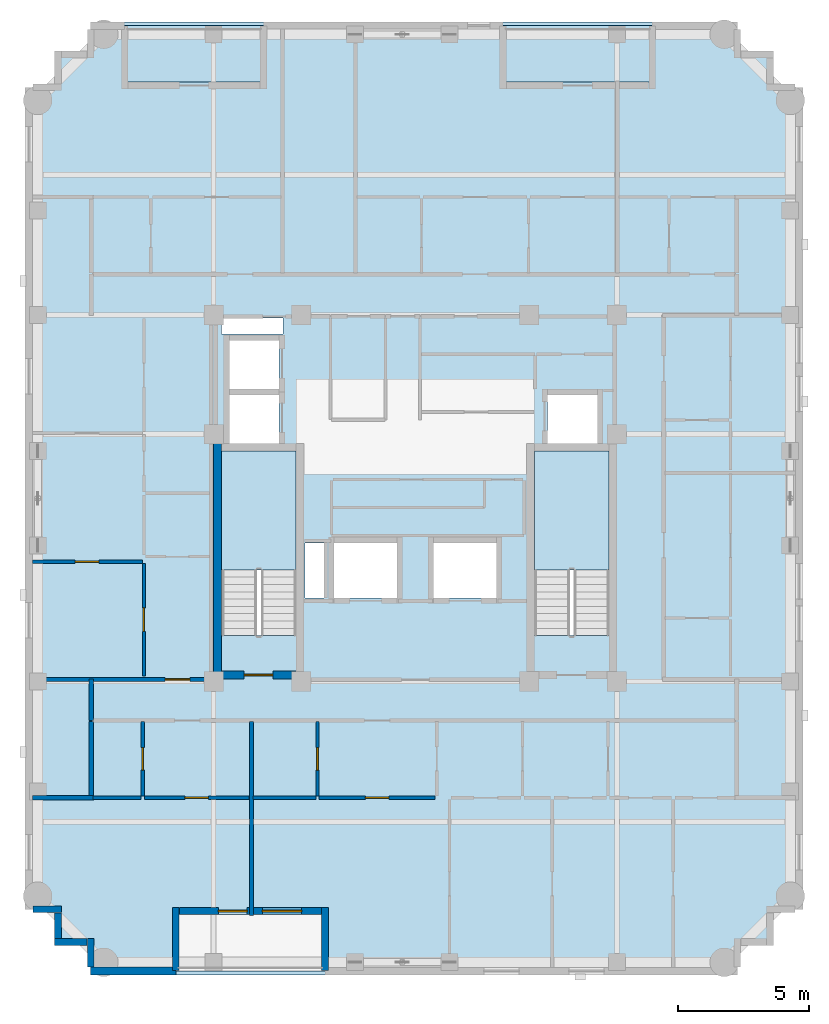
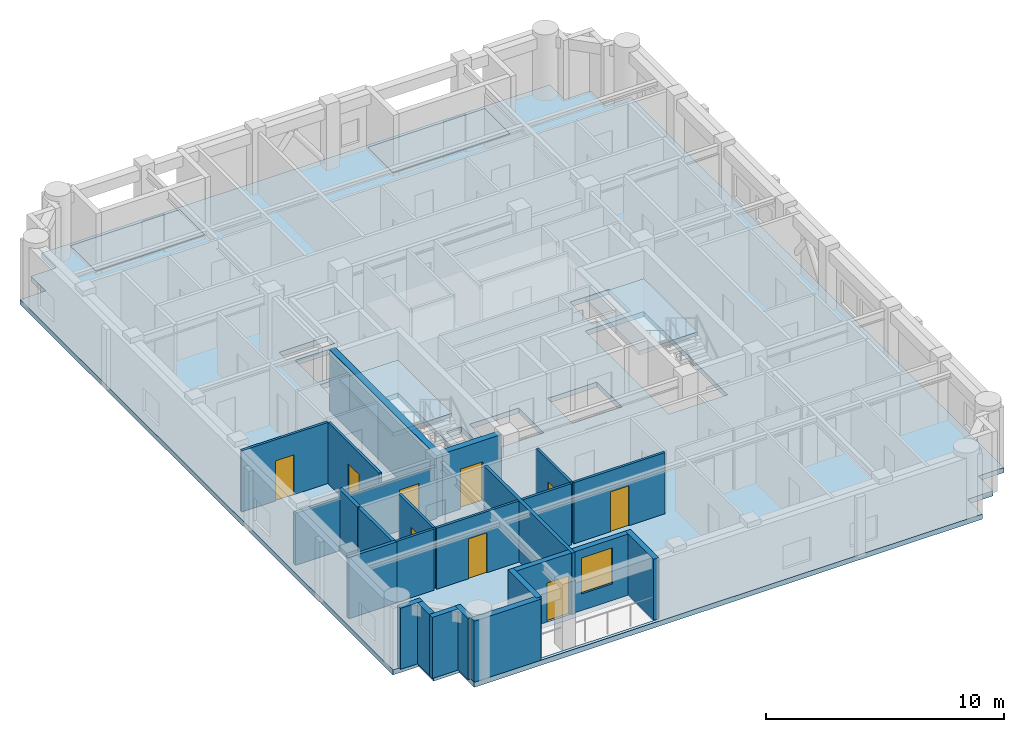
# One storey, part 2 of 10: 23 walls, 9 doors, 5 slabs, 1 window, 10 openings, 2 elements without a shape of their own.
"""IFC4 building model written with IfcOpenShell, lengths in metres."""

from ifc_helpers import new_model, si_unit, derived_unit, direction, frame, frame_2d, origin, place, context, subcontext, project, spatial, polyline, rectangle, outline, extrude, material, layer, layer_set, type_object, element, fill, aggregate, save


model = new_model("IFC4")

# Units and contexts
model_context = context("Model", 3, precision=1e-05, world=origin(), true_north=direction((0.0, 1.0)))
body_context = subcontext(model_context, "Body", "Model", "MODEL_VIEW")
ifc_project = project(units=[si_unit("LENGTHUNIT", "METRE"), si_unit("AREAUNIT", "SQUARE_METRE"), si_unit("VOLUMEUNIT", "CUBIC_METRE"), si_unit("PLANEANGLEUNIT", "RADIAN"), si_unit("MASSUNIT", "GRAM", prefix="KILO"), derived_unit("THERMALTRANSMITTANCEUNIT", [(si_unit("MASSUNIT", "GRAM", prefix="KILO"), 1), (si_unit("TIMEUNIT", "SECOND"), -3), (si_unit("THERMODYNAMICTEMPERATUREUNIT", "KELVIN"), -1)])], contexts=[model_context])

# Site, building, storey
site_placement = place(None, origin())
site = spatial("IfcSite", under=ifc_project, at=site_placement, CompositionType="ELEMENT")
building_placement = place(site_placement, origin())
building = spatial("IfcBuilding", under=site, at=building_placement, Name="Korrvale Station Residences", CompositionType="ELEMENT")
storey_placement = place(building_placement, frame((0.0, 0.0, 220.699951171875)))
storey = spatial("IfcBuildingStorey", under=building, at=storey_placement, Name="L64", CompositionType="ELEMENT", Elevation=220.699951171875)

# Slabs
ifc_material_1 = material(Name="Concrete C50/60", Category="concrete")
ifc_layer_1 = layer(ifc_material_1, 0.219970703125, Name="Concrete C50/60")
ifc_layer_set_1 = layer_set([ifc_layer_1], Name="Concrete C50/60")
slab_type_1 = type_object("IfcSlabType", Name="SLB-BAL-220", PredefinedType="FLOOR", material=ifc_layer_set_1)
slab_1_placement = place(storey_placement, frame((0.0, 0.0, -0.219970703125)))
element("IfcSlab", 1, at=slab_1_placement, inside=storey, type_object=slab_type_1, Name="L64 Recessed Loggia Balcony Slab BAL-L64-N1", PredefinedType="FLOOR", context=body_context, shape_type="SweptSolid", body=[
    extrude(outline(polyline([(28.85009765625, 37.89990234375), (34.550048828125, 37.89990234375), (34.550048828125, 40.050048828125), (28.85009765625, 40.050048828125), (28.85009765625, 37.89990234375)])), origin(), (0.0, 0.0, 1.0), 0.219970703125),
])
slab_2_placement = place(storey_placement, frame((0.0, 0.0, -0.219970703125)))
element("IfcSlab", 2, at=slab_2_placement, inside=storey, type_object=slab_type_1, Name="L64 Recessed Loggia Balcony Slab BAL-L64-N2", PredefinedType="FLOOR", context=body_context, shape_type="SweptSolid", body=[
    extrude(outline(polyline([(14.39990234375, 37.89990234375), (19.699951171875, 37.89990234375), (19.699951171875, 40.050048828125), (14.39990234375, 40.050048828125), (14.39990234375, 37.89990234375)])), origin(), (0.0, 0.0, 1.0), 0.219970703125),
])
ifc_layer_2 = layer(ifc_material_1, 0.260009765625, Name="Concrete C50/60")
ifc_layer_set_2 = layer_set([ifc_layer_2], Name="Concrete C50/60")
slab_type_2 = type_object("IfcSlabType", Name="SLB-FLR-260", PredefinedType="FLOOR", material=ifc_layer_set_2)
slab_3_placement = place(storey_placement, frame((0.0, 0.0, -0.260009765625)))
element("IfcSlab", 3, at=slab_3_placement, inside=storey, type_object=slab_type_2, Name="L64 Suspended Structural Floor Slab", PredefinedType="FLOOR", context=body_context, shape_type="SweptSolid", body=[
    extrude(outline(polyline([(13.10009765625, 3.800048828125), (37.800048828125, 3.800048828125), (37.800048828125, 5.050048828125), (39.050048828125, 5.050048828125), (39.050048828125, 6.300048828125), (40.300048828125, 6.300048828125), (40.300048828125, 37.699951171875), (39.050048828125, 37.699951171875), (39.050048828125, 38.949951171875), (37.800048828125, 38.949951171875), (37.800048828125, 40.199951171875), (13.10009765625, 40.199951171875), (13.10009765625, 38.949951171875), (11.85009765625, 38.949951171875), (11.85009765625, 37.699951171875), (10.60009765625, 37.699951171875), (10.60009765625, 6.300048828125), (11.85009765625, 6.300048828125), (11.85009765625, 5.050048828125), (13.10009765625, 5.050048828125), (13.10009765625, 3.800048828125)]), holes=[polyline([(20.949951171875, 16.751953125), (20.949951171875, 23.800048828125), (18.10009765625, 23.800048828125), (18.10009765625, 16.751953125), (20.949951171875, 16.751953125)]), polyline([(32.89990234375, 16.751953125), (32.89990234375, 23.800048828125), (30.050048828125, 23.800048828125), (30.050048828125, 16.751953125), (32.89990234375, 16.751953125)]), polyline([(18.39990234375, 24.10009765625), (20.300048828125, 24.10009765625), (20.300048828125, 25.949951171875), (18.39990234375, 25.949951171875), (18.39990234375, 24.10009765625)]), polyline([(18.39990234375, 26.169921875), (20.300048828125, 26.169921875), (20.300048828125, 28.02001953125), (18.39990234375, 28.02001953125), (18.39990234375, 26.169921875)]), polyline([(30.550048828125, 24.10009765625), (32.449951171875, 24.10009765625), (32.449951171875, 25.949951171875), (30.550048828125, 25.949951171875), (30.550048828125, 24.10009765625)]), polyline([(22.39990234375, 18.199951171875), (24.800048828125, 18.199951171875), (24.800048828125, 20.300048828125), (22.39990234375, 20.300048828125), (22.39990234375, 18.199951171875)]), polyline([(26.199951171875, 18.199951171875), (28.60009765625, 18.199951171875), (28.60009765625, 20.300048828125), (26.199951171875, 20.300048828125), (26.199951171875, 18.199951171875)]), polyline([(18.10009765625, 28.280029296875), (20.449951171875, 28.280029296875), (20.449951171875, 28.8798828125), (18.10009765625, 28.8798828125), (18.10009765625, 28.280029296875)]), polyline([(21.280029296875, 18.199951171875), (22.02001953125, 18.199951171875), (22.02001953125, 20.300048828125), (21.280029296875, 20.300048828125), (21.280029296875, 18.199951171875)]), polyline([(16.35009765625, 3.949951171875), (22.050048828125, 3.949951171875), (22.050048828125, 6.10009765625), (16.35009765625, 6.10009765625), (16.35009765625, 3.949951171875)]), polyline([(28.85009765625, 37.89990234375), (34.550048828125, 37.89990234375), (34.550048828125, 40.050048828125), (28.85009765625, 40.050048828125), (28.85009765625, 37.89990234375)]), polyline([(14.39990234375, 37.89990234375), (19.699951171875, 37.89990234375), (19.699951171875, 40.050048828125), (14.39990234375, 40.050048828125), (14.39990234375, 37.89990234375)])]), origin(), (0.0, 0.0, 1.0), 0.260009765625),
])

# Stair, slab
stair_type = type_object("IfcStairType", Name="STR-DL-1350-20R-1700", PredefinedType="HALF_TURN_STAIR", material=ifc_material_1)
stair_1_placement = place(storey_placement, origin())
stair_1 = element("IfcStair", 4, at=stair_1_placement, inside=storey, type_object=stair_type, Name="L64 Exit Stair 1", PredefinedType="HALF_TURN_STAIR")
ifc_layer_3 = layer(ifc_material_1, 0.199951171875, Name="Concrete C50/60")
ifc_layer_set_3 = layer_set([ifc_layer_3], Name="Concrete C50/60")
slab_type_3 = type_object("IfcSlabType", Name="SLB-LND-200", PredefinedType="LANDING", material=ifc_layer_set_3)
slab_4_placement = place(storey_placement, frame((0.0, 0.0, 1.5)))
slab_4 = element("IfcSlab", 5, at=slab_4_placement, type_object=slab_type_3, Name="ST-1 landing 1", PredefinedType="LANDING", context=body_context, shape_type="SweptSolid", body=[
    extrude(outline(polyline([(20.949951171875, 19.27001953125), (20.949951171875, 23.800048828125), (18.10009765625, 23.800048828125), (18.10009765625, 19.27001953125), (20.949951171875, 19.27001953125)])), origin(), (0.0, 0.0, 1.0), 0.199951171875),
])
aggregate(stair_1, [slab_4])

stair_2_placement = place(storey_placement, origin())
stair_2 = element("IfcStair", 6, at=stair_2_placement, inside=storey, type_object=stair_type, Name="L64 Exit Stair 2", PredefinedType="HALF_TURN_STAIR")
slab_5_placement = place(storey_placement, frame((0.0, 0.0, 1.5)))
slab_5 = element("IfcSlab", 7, at=slab_5_placement, type_object=slab_type_3, Name="ST-2 landing 1", PredefinedType="LANDING", context=body_context, shape_type="SweptSolid", body=[
    extrude(outline(polyline([(32.89990234375, 19.27001953125), (32.89990234375, 23.800048828125), (30.050048828125, 23.800048828125), (30.050048828125, 19.27001953125), (32.89990234375, 19.27001953125)])), origin(), (0.0, 0.0, 1.0), 0.199951171875),
])
aggregate(stair_2, [slab_5])

# Wall
ifc_layer_4 = layer(ifc_material_1, 0.300048828125, Name="Concrete C50/60")
ifc_layer_set_4 = layer_set([ifc_layer_4], Name="Concrete C50/60")
wall_type_1 = type_object("IfcWallType", Name="WAL-CORE-300-C50", PredefinedType="SHEAR", material=ifc_layer_set_4)
wall_1_placement = place(storey_placement, frame((17.949951171875, 15.10009765625, 0.0), z_axis=(0.0, 0.0, 1.0), x_axis=(0.0, 1.0, 0.0)))
element("IfcWall", 8, at=wall_1_placement, inside=storey, type_object=wall_type_1, Name="L64 ST-1 Core Shear Wall West", PredefinedType="SHEAR", context=body_context, shape_type="SweptSolid", body=[
    extrude(rectangle(XDim=9.0, YDim=0.300048828125, at=frame_2d((4.5, 0.0))), origin(), (0.0, 0.0, 1.0), 3.14013671875),
])

# Wall, opening, door
wall_2_placement = place(storey_placement, frame((18.10009765625, 15.25, 0.0), z_axis=(0.0, 0.0, 1.0), x_axis=(1.0, 0.0, 0.0)))
wall_2 = element("IfcWall", 9, at=wall_2_placement, inside=storey, type_object=wall_type_1, Name="L64 ST-1 Core Shear Wall South", PredefinedType="SHEAR", context=body_context, shape_type="SweptSolid", body=[
    extrude(rectangle(XDim=2.849853515625, YDim=0.300048828125, at=frame_2d((1.4248046875, 0.0))), origin(), (0.0, 0.0, 1.0), 3.14013671875),
])
opening_1_placement = place(wall_2_placement, frame((0.860107421875, 0.0, 0.0)))
opening_1 = element("IfcOpeningElement", 10, at=opening_1_placement, cuts=wall_2, Name="Opening SD-1100", PredefinedType="OPENING", context=body_context, shape_type="SweptSolid", body=[
    extrude(rectangle(XDim=1.10009765625, YDim=2.050048828125, at=frame_2d((0.550048828125, 1.02490234375))), frame((0.0, 0.16015625, 0.0), z_axis=(0.0, -1.0, 0.0), x_axis=(1.0, 0.0, 0.0)), (0.0, 0.0, 1.0), 0.320068359375),
])
ifc_material_2 = material(Name="Hollow-metal fire-rated stair door with closer", Category="steel")
door_type_1 = type_object("IfcDoorType", Name="DR-STAIR-1100", OperationType="NOTDEFINED", PredefinedType="DOOR", material=ifc_material_2)
door_1_placement = place(opening_1_placement, origin())
door_1 = element("IfcDoor", 11, at=door_1_placement, inside=storey, type_object=door_type_1, Name="L64 ST-1 Exit Stair Door", OperationType="SINGLE_SWING_LEFT", OverallHeight=2.050048828125, OverallWidth=1.10009765625, PredefinedType="DOOR", context=body_context, shape_type="SweptSolid", body=[
    extrude(rectangle(XDim=1.10009765625, YDim=2.050048828125, at=frame_2d((0.550048828125, 1.02490234375))), frame((0.0, 0.02490234375, 0.0), z_axis=(0.0, -1.0, 0.0), x_axis=(1.0, 0.0, 0.0)), (0.0, 0.0, 1.0), 0.050048828125),
])
fill(opening_1, door_1)

# Wall
ifc_material_3 = material(Name="Precast concrete C45/55", Category="concrete")
ifc_layer_5 = layer(ifc_material_3, 0.260009765625, Name="Precast concrete C45/55")
ifc_layer_set_5 = layer_set([ifc_layer_5], Name="Precast concrete C45/55")
wall_type_2 = type_object("IfcWallType", Name="WAL-EXT-LOG260", PredefinedType="SOLIDWALL", material=ifc_layer_set_5)
wall_3_placement = place(storey_placement, frame((22.050048828125, 3.9599609375, 0.0), z_axis=(0.0, 0.0, 1.0), x_axis=(0.0, 1.0, 0.0)))
element("IfcWall", 12, at=wall_3_placement, inside=storey, type_object=wall_type_2, Name="L64 Recessed Loggia Wall BAL-L64-S1-L", PredefinedType="SOLIDWALL", context=body_context, shape_type="SweptSolid", body=[
    extrude(rectangle(XDim=2.400146484375, YDim=0.260009765625, at=frame_2d((1.2001953125, 0.0))), origin(), (0.0, 0.0, 1.0), 3.14013671875),
])

# Wall, openings, door, window
wall_4_placement = place(storey_placement, frame((21.916015625, 6.22998046875, 0.0), z_axis=(0.0, 0.0, 1.0), x_axis=(-1.0, 0.0, 0.0)))
wall_4 = element("IfcWall", 13, at=wall_4_placement, inside=storey, type_object=wall_type_2, Name="L64 Recessed Loggia Wall BAL-L64-S1-B", PredefinedType="SOLIDWALL", context=body_context, shape_type="SweptSolid", body=[
    extrude(rectangle(XDim=5.43212890625, YDim=0.260009765625, at=frame_2d((2.716064453125, 0.0))), origin(), (0.0, 0.0, 1.0), 3.14013671875),
])
opening_2_placement = place(wall_4_placement, frame((2.8369140625, 0.0, 0.0)))
opening_2 = element("IfcOpeningElement", 14, at=opening_2_placement, cuts=wall_4, Name="Opening BD-01", PredefinedType="OPENING", context=body_context, shape_type="SweptSolid", body=[
    extrude(rectangle(XDim=1.10009765625, YDim=2.0, at=frame_2d((0.550048828125, 1.0))), frame((0.0, 0.14013671875, 0.0), z_axis=(0.0, -1.0, 0.0), x_axis=(1.0, 0.0, 0.0)), (0.0, 0.0, 1.0), 0.280029296875),
])
opening_3_placement = place(wall_4_placement, frame((0.759033203125, 0.0, 0.85009765625)))
opening_3 = element("IfcOpeningElement", 15, at=opening_3_placement, cuts=wall_4, Name="Opening W-01", PredefinedType="OPENING", context=body_context, shape_type="SweptSolid", body=[
    extrude(rectangle(XDim=1.5, YDim=1.85009765625, at=frame_2d((0.75, 0.925048828125))), frame((0.0, 0.14013671875, 0.0), z_axis=(0.0, -1.0, 0.0), x_axis=(1.0, 0.0, 0.0)), (0.0, 0.0, 1.0), 0.280029296875),
])
ifc_material_4 = material(Name="Exterior thermally broken aluminium glazed balcony door", Category="aluminium")
door_type_2 = type_object("IfcDoorType", Name="DR-EXT-BAL", OperationType="NOTDEFINED", PredefinedType="DOOR", material=ifc_material_4)
door_2_placement = place(opening_2_placement, origin())
door_2 = element("IfcDoor", 16, at=door_2_placement, inside=storey, type_object=door_type_2, Name="L64 Loggia Balcony Door BAL-L64-S1", OperationType="SINGLE_SWING_LEFT", OverallHeight=2.0, OverallWidth=1.10009765625, PredefinedType="DOOR", context=body_context, shape_type="SweptSolid", body=[
    extrude(rectangle(XDim=1.10009765625, YDim=2.0, at=frame_2d((0.550048828125, 1.0))), frame((0.0, 0.02490234375, 0.0), z_axis=(0.0, -1.0, 0.0), x_axis=(1.0, 0.0, 0.0)), (0.0, 0.0, 1.0), 0.050048828125),
])
fill(opening_2, door_2)
ifc_material_5 = material(Name="Thermally broken aluminium frame with triple low-e glazing", Category="aluminium")
window_type = type_object("IfcWindowType", Name="WIN-W01", PartitioningType="SINGLE_PANEL", PredefinedType="WINDOW", material=ifc_material_5)
window_placement = place(opening_3_placement, origin())
window = element("IfcWindow", 17, at=window_placement, inside=storey, type_object=window_type, Name="L64 Punched Window 02", OverallHeight=1.85009765625, OverallWidth=1.5, PartitioningType="SINGLE_PANEL", PredefinedType="WINDOW", context=body_context, shape_type="SweptSolid", body=[
    extrude(rectangle(XDim=1.5, YDim=1.85009765625, at=frame_2d((0.75, 0.925048828125))), frame((0.0, 0.030029296875, 0.0), z_axis=(0.0, -1.0, 0.0), x_axis=(1.0, 0.0, 0.0)), (0.0, 0.0, 1.0), 0.06005859375),
])
fill(opening_3, window)

# Walls
wall_5_placement = place(storey_placement, frame((16.35009765625, 6.360107421875, 0.0), z_axis=(0.0, 0.0, 1.0), x_axis=(0.0, -1.0, 0.0)))
element("IfcWall", 18, at=wall_5_placement, inside=storey, type_object=wall_type_2, Name="L64 Recessed Loggia Wall BAL-L64-S1-R", PredefinedType="SOLIDWALL", context=body_context, shape_type="SweptSolid", body=[
    extrude(rectangle(XDim=2.400146484375, YDim=0.260009765625, at=frame_2d((1.2001953125, 0.0))), origin(), (0.0, 0.0, 1.0), 3.14013671875),
])
wall_6_placement = place(storey_placement, frame((13.10009765625, 4.10205078125, 0.0), z_axis=(0.0, 0.0, 1.0), x_axis=(0.0, 1.0, 0.0)))
element("IfcWall", 19, at=wall_6_placement, inside=storey, type_object=wall_type_2, Name="L64 Serrated Corner Precast Step SW-1", PredefinedType="SOLIDWALL", context=body_context, shape_type="SweptSolid", body=[
    extrude(rectangle(XDim=1.077880859375, YDim=0.260009765625, at=frame_2d((0.5390625, 0.0))), origin(), (0.0, 0.0, 1.0), 3.14013671875),
])
wall_7_placement = place(storey_placement, frame((12.968017578125, 5.050048828125, 0.0), z_axis=(0.0, 0.0, 1.0), x_axis=(-1.0, 0.0, 0.0)))
element("IfcWall", 20, at=wall_7_placement, inside=storey, type_object=wall_type_2, Name="L64 Serrated Corner Precast Step SW-2", PredefinedType="SOLIDWALL", context=body_context, shape_type="SweptSolid", body=[
    extrude(rectangle(XDim=1.248046875, YDim=0.260009765625, at=frame_2d((0.6240234375, 0.0))), origin(), (0.0, 0.0, 1.0), 3.14013671875),
])
wall_8_placement = place(storey_placement, frame((11.85009765625, 5.181884765625, 0.0), z_axis=(0.0, 0.0, 1.0), x_axis=(0.0, 1.0, 0.0)))
element("IfcWall", 21, at=wall_8_placement, inside=storey, type_object=wall_type_2, Name="L64 Serrated Corner Precast Step SW-3", PredefinedType="SOLIDWALL", context=body_context, shape_type="SweptSolid", body=[
    extrude(rectangle(XDim=0.986083984375, YDim=0.260009765625, at=frame_2d((0.4931640625, 0.0))), origin(), (0.0, 0.0, 1.0), 3.14013671875),
])
wall_9_placement = place(storey_placement, frame((11.97998046875, 6.300048828125, 0.0), z_axis=(0.0, 0.0, 1.0), x_axis=(-1.0, 0.0, 0.0)))
element("IfcWall", 22, at=wall_9_placement, inside=storey, type_object=wall_type_2, Name="L64 Serrated Corner Precast Step SW-4", PredefinedType="SOLIDWALL", context=body_context, shape_type="SweptSolid", body=[
    extrude(rectangle(XDim=1.077880859375, YDim=0.260009765625, at=frame_2d((0.5390625, 0.0))), origin(), (0.0, 0.0, 1.0), 3.14013671875),
])
ifc_layer_6 = layer(ifc_material_3, 0.300048828125, Name="Precast concrete C45/55")
ifc_layer_set_6 = layer_set([ifc_layer_6], Name="Precast concrete C45/55")
wall_type_3 = type_object("IfcWallType", Name="WAL-EXT-PC300", PredefinedType="SOLIDWALL", material=ifc_layer_set_6)
wall_10_placement = place(storey_placement, frame((16.35009765625, 3.949951171875, 0.0), z_axis=(0.0, 0.0, 1.0), x_axis=(-1.0, 0.0, 0.0)))
element("IfcWall", 23, at=wall_10_placement, inside=storey, type_object=wall_type_3, Name="L64 South Exterior Precast Wall 2", PredefinedType="SOLIDWALL", context=body_context, shape_type="SweptSolid", body=[
    extrude(rectangle(XDim=3.25, YDim=0.300048828125, at=frame_2d((1.625, 0.0))), origin(), (0.0, 0.0, 1.0), 3.14013671875),
])

# Wall, opening, door
ifc_material_6 = material(Name="Acoustic steel-stud gypsum board partition", Category="steel")
ifc_layer_7 = layer(ifc_material_6, 0.1201171875, Name="Acoustic steel-stud gypsum board partition")
ifc_layer_set_7 = layer_set([ifc_layer_7], Name="Acoustic steel-stud gypsum board partition")
wall_type_4 = type_object("IfcWallType", Name="WAL-PART-125", PredefinedType="PARTITIONING", material=ifc_layer_set_7)
wall_11_placement = place(storey_placement, frame((15.090087890625, 10.6201171875, 0.0), z_axis=(0.0, 0.0, 1.0), x_axis=(0.0, 1.0, 0.0)))
wall_11 = element("IfcWall", 24, at=wall_11_placement, inside=storey, type_object=wall_type_4, Name="L64 Suite Partition U01-V01", PredefinedType="PARTITIONING", context=body_context, shape_type="SweptSolid", body=[
    extrude(rectangle(XDim=2.849853515625, YDim=0.1201171875, at=frame_2d((1.4248046875, 0.0))), origin(), (0.0, 0.0, 1.0), 3.14013671875),
])
opening_4_placement = place(wall_11_placement, frame((0.9951171875, 0.0, 0.0)))
opening_4 = element("IfcOpeningElement", 25, at=opening_4_placement, cuts=wall_11, Name="Opening DB-860", PredefinedType="OPENING", context=body_context, shape_type="SweptSolid", body=[
    extrude(rectangle(XDim=0.860107421875, YDim=2.050048828125, at=frame_2d((0.43017578125, 1.02490234375))), frame((0.0, 0.070068359375, 0.0), z_axis=(0.0, -1.0, 0.0), x_axis=(1.0, 0.0, 0.0)), (0.0, 0.0, 1.0), 0.14013671875),
])
ifc_material_7 = material(Name="Moisture-resistant solid-core bathroom door", Category="timber")
door_type_3 = type_object("IfcDoorType", Name="DR-BATH-860", OperationType="NOTDEFINED", PredefinedType="DOOR", material=ifc_material_7)
door_3_placement = place(opening_4_placement, origin())
door_3 = element("IfcDoor", 26, at=door_3_placement, inside=storey, type_object=door_type_3, Name="L64 Studio Apartment L64-U01 Bathroom Door", OperationType="SINGLE_SWING_LEFT", OverallHeight=2.050048828125, OverallWidth=0.860107421875, PredefinedType="DOOR", context=body_context, shape_type="SweptSolid", body=[
    extrude(rectangle(XDim=0.860107421875, YDim=2.050048828125, at=frame_2d((0.43017578125, 1.02490234375))), frame((0.0, 0.02490234375, 0.0), z_axis=(0.0, -1.0, 0.0), x_axis=(1.0, 0.0, 0.0)), (0.0, 0.0, 1.0), 0.050048828125),
])
fill(opening_4, door_3)

# Wall
wall_12_placement = place(storey_placement, frame((13.179931640625, 10.56005859375, 0.0), z_axis=(0.0, 0.0, 1.0), x_axis=(1.0, 0.0, 0.0)))
element("IfcWall", 27, at=wall_12_placement, inside=storey, type_object=wall_type_4, Name="L64 Suite Partition U01-H02", PredefinedType="PARTITIONING", context=body_context, shape_type="SweptSolid", body=[
    extrude(rectangle(XDim=1.85009765625, YDim=0.1201171875, at=frame_2d((0.925048828125, 0.0))), origin(), (0.0, 0.0, 1.0), 3.14013671875),
])

# Wall, opening, door
wall_13_placement = place(storey_placement, frame((15.14990234375, 10.56005859375, 0.0), z_axis=(0.0, 0.0, 1.0), x_axis=(1.0, 0.0, 0.0)))
wall_13 = element("IfcWall", 28, at=wall_13_placement, inside=storey, type_object=wall_type_4, Name="L64 Suite Partition U01-H12", PredefinedType="PARTITIONING", context=body_context, shape_type="SweptSolid", body=[
    extrude(rectangle(XDim=3.989013671875, YDim=0.1201171875, at=frame_2d((1.99462890625, 0.0))), origin(), (0.0, 0.0, 1.0), 3.14013671875),
])
opening_5_placement = place(wall_13_placement, frame((1.5439453125, 0.0, 0.0)))
opening_5 = element("IfcOpeningElement", 29, at=opening_5_placement, cuts=wall_13, Name="Opening DI-900", PredefinedType="OPENING", context=body_context, shape_type="SweptSolid", body=[
    extrude(rectangle(XDim=0.89990234375, YDim=2.050048828125, at=frame_2d((0.449951171875, 1.02490234375))), frame((0.0, 0.070068359375, 0.0), z_axis=(0.0, -1.0, 0.0), x_axis=(1.0, 0.0, 0.0)), (0.0, 0.0, 1.0), 0.14013671875),
])
ifc_material_8 = material(Name="Painted solid-core timber interior room door", Category="wood")
door_type_4 = type_object("IfcDoorType", Name="DR-INT-900", OperationType="NOTDEFINED", PredefinedType="DOOR", material=ifc_material_8)
door_4_placement = place(opening_5_placement, origin())
door_4 = element("IfcDoor", 30, at=door_4_placement, inside=storey, type_object=door_type_4, Name="L64 Studio Apartment L64-U01 Kitchen Door", OperationType="SINGLE_SWING_RIGHT", OverallHeight=2.050048828125, OverallWidth=0.89990234375, PredefinedType="DOOR", context=body_context, shape_type="SweptSolid", body=[
    extrude(rectangle(XDim=0.89990234375, YDim=2.050048828125, at=frame_2d((0.449951171875, 1.02490234375))), frame((0.0, 0.02490234375, 0.0), z_axis=(0.0, -1.0, 0.0), x_axis=(1.0, 0.0, 0.0)), (0.0, 0.0, 1.0), 0.050048828125),
])
fill(opening_5, door_4)

wall_14_placement = place(storey_placement, frame((21.759033203125, 10.6201171875, 0.0), z_axis=(0.0, 0.0, 1.0), x_axis=(0.0, 1.0, 0.0)))
wall_14 = element("IfcWall", 31, at=wall_14_placement, inside=storey, type_object=wall_type_4, Name="L64 Suite Partition U02-V01", PredefinedType="PARTITIONING", context=body_context, shape_type="SweptSolid", body=[
    extrude(rectangle(XDim=2.849853515625, YDim=0.1201171875, at=frame_2d((1.4248046875, 0.0))), origin(), (0.0, 0.0, 1.0), 3.14013671875),
])
opening_6_placement = place(wall_14_placement, frame((0.9951171875, 0.0, 0.0)))
opening_6 = element("IfcOpeningElement", 32, at=opening_6_placement, cuts=wall_14, Name="Opening DB-860", PredefinedType="OPENING", context=body_context, shape_type="SweptSolid", body=[
    extrude(rectangle(XDim=0.860107421875, YDim=2.050048828125, at=frame_2d((0.43017578125, 1.02490234375))), frame((0.0, 0.070068359375, 0.0), z_axis=(0.0, -1.0, 0.0), x_axis=(1.0, 0.0, 0.0)), (0.0, 0.0, 1.0), 0.14013671875),
])
door_5_placement = place(opening_6_placement, origin())
door_5 = element("IfcDoor", 33, at=door_5_placement, inside=storey, type_object=door_type_3, Name="L64 Apartment 2BR L64-U02 Bathroom Door", OperationType="SINGLE_SWING_LEFT", OverallHeight=2.050048828125, OverallWidth=0.860107421875, PredefinedType="DOOR", context=body_context, shape_type="SweptSolid", body=[
    extrude(rectangle(XDim=0.860107421875, YDim=2.050048828125, at=frame_2d((0.43017578125, 1.02490234375))), frame((0.0, 0.02490234375, 0.0), z_axis=(0.0, -1.0, 0.0), x_axis=(1.0, 0.0, 0.0)), (0.0, 0.0, 1.0), 0.050048828125),
])
fill(opening_6, door_5)

# Wall
wall_15_placement = place(storey_placement, frame((19.299072265625, 10.56005859375, 0.0), z_axis=(0.0, 0.0, 1.0), x_axis=(1.0, 0.0, 0.0)))
element("IfcWall", 34, at=wall_15_placement, inside=storey, type_object=wall_type_4, Name="L64 Suite Partition U02-H05", PredefinedType="PARTITIONING", context=body_context, shape_type="SweptSolid", body=[
    extrude(rectangle(XDim=2.39990234375, YDim=0.1201171875, at=frame_2d((1.199951171875, 0.0))), origin(), (0.0, 0.0, 1.0), 3.14013671875),
])

# Wall, opening, door
wall_16_placement = place(storey_placement, frame((21.819091796875, 10.56005859375, 0.0), z_axis=(0.0, 0.0, 1.0), x_axis=(1.0, 0.0, 0.0)))
wall_16 = element("IfcWall", 35, at=wall_16_placement, inside=storey, type_object=wall_type_4, Name="L64 Suite Partition U02-H15", PredefinedType="PARTITIONING", context=body_context, shape_type="SweptSolid", body=[
    extrude(rectangle(XDim=4.43994140625, YDim=0.1201171875, at=frame_2d((2.219970703125, 0.0))), origin(), (0.0, 0.0, 1.0), 3.14013671875),
])
opening_7_placement = place(wall_16_placement, frame((1.77001953125, 0.0, 0.0)))
opening_7 = element("IfcOpeningElement", 36, at=opening_7_placement, cuts=wall_16, Name="Opening DI-900", PredefinedType="OPENING", context=body_context, shape_type="SweptSolid", body=[
    extrude(rectangle(XDim=0.89990234375, YDim=2.050048828125, at=frame_2d((0.449951171875, 1.02490234375))), frame((0.0, 0.070068359375, 0.0), z_axis=(0.0, -1.0, 0.0), x_axis=(1.0, 0.0, 0.0)), (0.0, 0.0, 1.0), 0.14013671875),
])
door_6_placement = place(opening_7_placement, origin())
door_6 = element("IfcDoor", 37, at=door_6_placement, inside=storey, type_object=door_type_4, Name="L64 Apartment 2BR L64-U02 Kitchen Door", OperationType="SINGLE_SWING_LEFT", OverallHeight=2.050048828125, OverallWidth=0.89990234375, PredefinedType="DOOR", context=body_context, shape_type="SweptSolid", body=[
    extrude(rectangle(XDim=0.89990234375, YDim=2.050048828125, at=frame_2d((0.449951171875, 1.02490234375))), frame((0.0, 0.02490234375, 0.0), z_axis=(0.0, -1.0, 0.0), x_axis=(1.0, 0.0, 0.0)), (0.0, 0.0, 1.0), 0.050048828125),
])
fill(opening_7, door_6)

wall_17_placement = place(storey_placement, frame((15.1298828125, 15.2099609375, 0.0), z_axis=(0.0, 0.0, 1.0), x_axis=(0.0, 1.0, 0.0)))
wall_17 = element("IfcWall", 38, at=wall_17_placement, inside=storey, type_object=wall_type_4, Name="L64 Suite Partition U06-V23", PredefinedType="PARTITIONING", context=body_context, shape_type="SweptSolid", body=[
    extrude(rectangle(XDim=4.30810546875, YDim=0.1201171875, at=frame_2d((2.154052734375, 0.0))), origin(), (0.0, 0.0, 1.0), 3.14013671875),
])
opening_8_placement = place(wall_17_placement, frame((1.7041015625, 0.0, 0.0)))
opening_8 = element("IfcOpeningElement", 39, at=opening_8_placement, cuts=wall_17, Name="Opening DI-900", PredefinedType="OPENING", context=body_context, shape_type="SweptSolid", body=[
    extrude(rectangle(XDim=0.89990234375, YDim=2.050048828125, at=frame_2d((0.449951171875, 1.02490234375))), frame((0.0, 0.070068359375, 0.0), z_axis=(0.0, -1.0, 0.0), x_axis=(1.0, 0.0, 0.0)), (0.0, 0.0, 1.0), 0.14013671875),
])
door_7_placement = place(opening_8_placement, origin())
door_7 = element("IfcDoor", 40, at=door_7_placement, inside=storey, type_object=door_type_4, Name="L64 Apartment 2BR L64-U06 Kitchen Door", OperationType="SINGLE_SWING_LEFT", OverallHeight=2.050048828125, OverallWidth=0.89990234375, PredefinedType="DOOR", context=body_context, shape_type="SweptSolid", body=[
    extrude(rectangle(XDim=0.89990234375, YDim=2.050048828125, at=frame_2d((0.449951171875, 1.02490234375))), frame((0.0, 0.02490234375, 0.0), z_axis=(0.0, -1.0, 0.0), x_axis=(1.0, 0.0, 0.0)), (0.0, 0.0, 1.0), 0.050048828125),
])
fill(opening_8, door_7)

wall_18_placement = place(storey_placement, frame((10.8798828125, 19.577880859375, 0.0), z_axis=(0.0, 0.0, 1.0), x_axis=(1.0, 0.0, 0.0)))
wall_18 = element("IfcWall", 41, at=wall_18_placement, inside=storey, type_object=wall_type_4, Name="L64 Suite Partition U06-H34", PredefinedType="PARTITIONING", context=body_context, shape_type="SweptSolid", body=[
    extrude(rectangle(XDim=4.190185546875, YDim=0.1201171875, at=frame_2d((2.09521484375, 0.0))), origin(), (0.0, 0.0, 1.0), 3.14013671875),
])
opening_9_placement = place(wall_18_placement, frame((1.6298828125, 0.0, 0.0)))
opening_9 = element("IfcOpeningElement", 42, at=opening_9_placement, cuts=wall_18, Name="Opening DI-900", PredefinedType="OPENING", context=body_context, shape_type="SweptSolid", body=[
    extrude(rectangle(XDim=0.89990234375, YDim=2.050048828125, at=frame_2d((0.449951171875, 1.02490234375))), frame((0.0, 0.070068359375, 0.0), z_axis=(0.0, -1.0, 0.0), x_axis=(1.0, 0.0, 0.0)), (0.0, 0.0, 1.0), 0.14013671875),
])
door_8_placement = place(opening_9_placement, origin())
door_8 = element("IfcDoor", 43, at=door_8_placement, inside=storey, type_object=door_type_4, Name="L64 Apartment 2BR L64-U06 Bedroom 1 Door", OperationType="SINGLE_SWING_RIGHT", OverallHeight=2.050048828125, OverallWidth=0.89990234375, PredefinedType="DOOR", context=body_context, shape_type="SweptSolid", body=[
    extrude(rectangle(XDim=0.89990234375, YDim=2.050048828125, at=frame_2d((0.449951171875, 1.02490234375))), frame((0.0, 0.02490234375, 0.0), z_axis=(0.0, -1.0, 0.0), x_axis=(1.0, 0.0, 0.0)), (0.0, 0.0, 1.0), 0.050048828125),
])
fill(opening_9, door_8)

# Walls
ifc_material_9 = material(Name="Fire-rated twin-stud gypsum and mineral wool shaftwall assembly", Category="gypsum")
ifc_layer_8 = layer(ifc_material_9, 0.159912109375, Name="Fire-rated twin-stud gypsum and mineral wool shaftwall assembly")
ifc_layer_set_8 = layer_set([ifc_layer_8], Name="Fire-rated twin-stud gypsum and mineral wool shaftwall assembly")
wall_type_5 = type_object("IfcWallType", Name="WAL-PART-200", PredefinedType="PARTITIONING", material=ifc_layer_set_8)
wall_19_placement = place(storey_placement, frame((13.1201171875, 13.510009765625, 0.0), z_axis=(0.0, 0.0, 1.0), x_axis=(0.0, 1.0, 0.0)))
element("IfcWall", 44, at=wall_19_placement, inside=storey, type_object=wall_type_5, Name="L64 Corridor South West Cap", PredefinedType="PARTITIONING", context=body_context, shape_type="SweptSolid", body=[
    extrude(rectangle(XDim=1.580078125, YDim=0.159912109375, at=frame_2d((0.7900390625, 0.0))), origin(), (0.0, 0.0, 1.0), 3.14013671875),
])
wall_20_placement = place(storey_placement, frame((10.8798828125, 10.56005859375, 0.0), z_axis=(0.0, 0.0, 1.0), x_axis=(1.0, 0.0, 0.0)))
element("IfcWall", 45, at=wall_20_placement, inside=storey, type_object=wall_type_5, Name="L64 Corner Step Wall U01-L", PredefinedType="PARTITIONING", context=body_context, shape_type="SweptSolid", body=[
    extrude(rectangle(XDim=2.340087890625, YDim=0.159912109375, at=frame_2d((1.169921875, 0.0))), origin(), (0.0, 0.0, 1.0), 3.14013671875),
])
wall_21_placement = place(storey_placement, frame((13.1201171875, 10.56005859375, 0.0), z_axis=(0.0, 0.0, 1.0), x_axis=(0.0, 1.0, 0.0)))
element("IfcWall", 46, at=wall_21_placement, inside=storey, type_object=wall_type_5, Name="L64 Corner Step Cheek U01-L", PredefinedType="PARTITIONING", context=body_context, shape_type="SweptSolid", body=[
    extrude(rectangle(XDim=2.909912109375, YDim=0.159912109375, at=frame_2d((1.455078125, 0.0))), origin(), (0.0, 0.0, 1.0), 3.14013671875),
])
wall_22_placement = place(storey_placement, frame((19.239013671875, 6.06005859375, 0.0), z_axis=(0.0, 0.0, 1.0), x_axis=(0.0, 1.0, 0.0)))
element("IfcWall", 47, at=wall_22_placement, inside=storey, type_object=wall_type_5, Name="L64 Demising Wall U02-W", PredefinedType="PARTITIONING", context=body_context, shape_type="SweptSolid", body=[
    extrude(rectangle(XDim=7.409912109375, YDim=0.159912109375, at=frame_2d((3.705078125, 0.0))), origin(), (0.0, 0.0, 1.0), 3.14013671875),
])

# Wall, opening, door
wall_23_placement = place(storey_placement, frame((10.8798828125, 15.080078125, 0.0), z_axis=(0.0, 0.0, 1.0), x_axis=(1.0, 0.0, 0.0)))
wall_23 = element("IfcWall", 48, at=wall_23_placement, inside=storey, type_object=wall_type_5, Name="L64 Side Suite South Entry Wall U06", PredefinedType="PARTITIONING", context=body_context, shape_type="SweptSolid", body=[
    extrude(rectangle(XDim=6.880126953125, YDim=0.159912109375, at=frame_2d((3.43994140625, 0.0))), origin(), (0.0, 0.0, 1.0), 2.66796875),
])
opening_10_placement = place(wall_23_placement, frame((5.06005859375, 0.0, 0.0)))
opening_10 = element("IfcOpeningElement", 49, at=opening_10_placement, cuts=wall_23, Name="Opening UD-950", PredefinedType="OPENING", context=body_context, shape_type="SweptSolid", body=[
    extrude(rectangle(XDim=0.949951171875, YDim=2.10009765625, at=frame_2d((0.47509765625, 1.050048828125))), frame((0.0, 0.08984375, 0.0), z_axis=(0.0, -1.0, 0.0), x_axis=(1.0, 0.0, 0.0)), (0.0, 0.0, 1.0), 0.179931640625),
])
ifc_material_10 = material(Name="Solid-core acoustic oak apartment entrance door", Category="timber")
door_type_5 = type_object("IfcDoorType", Name="DR-UNIT-950", OperationType="NOTDEFINED", PredefinedType="DOOR", material=ifc_material_10)
door_9_placement = place(opening_10_placement, origin())
door_9 = element("IfcDoor", 50, at=door_9_placement, inside=storey, type_object=door_type_5, Name="L64 Apartment L64-U06 Entrance Door", OperationType="SINGLE_SWING_LEFT", OverallHeight=2.10009765625, OverallWidth=0.949951171875, PredefinedType="DOOR", context=body_context, shape_type="SweptSolid", body=[
    extrude(rectangle(XDim=0.949951171875, YDim=2.10009765625, at=frame_2d((0.47509765625, 1.050048828125))), frame((0.0, 0.02490234375, 0.0), z_axis=(0.0, -1.0, 0.0), x_axis=(1.0, 0.0, 0.0)), (0.0, 0.0, 1.0), 0.050048828125),
])
fill(opening_10, door_9)

save(model, "model.ifc")
